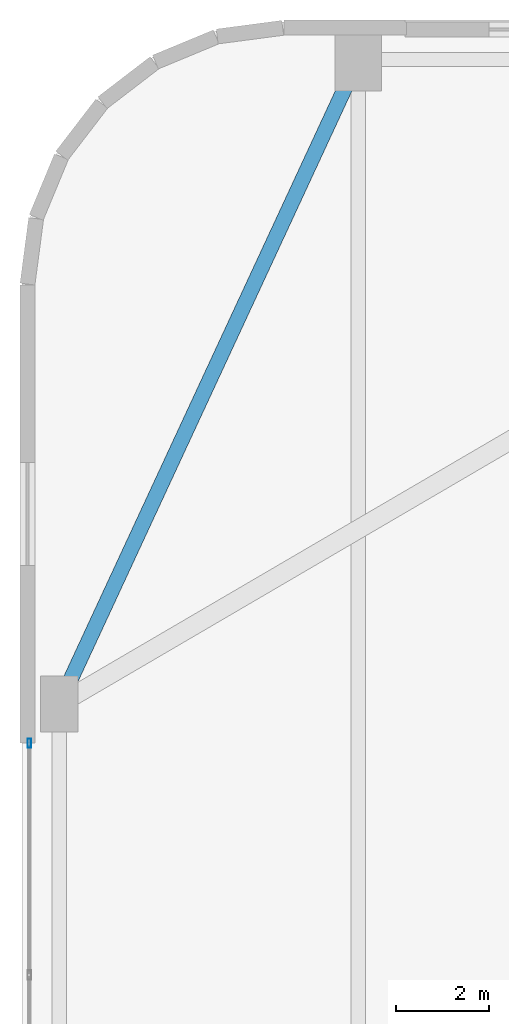
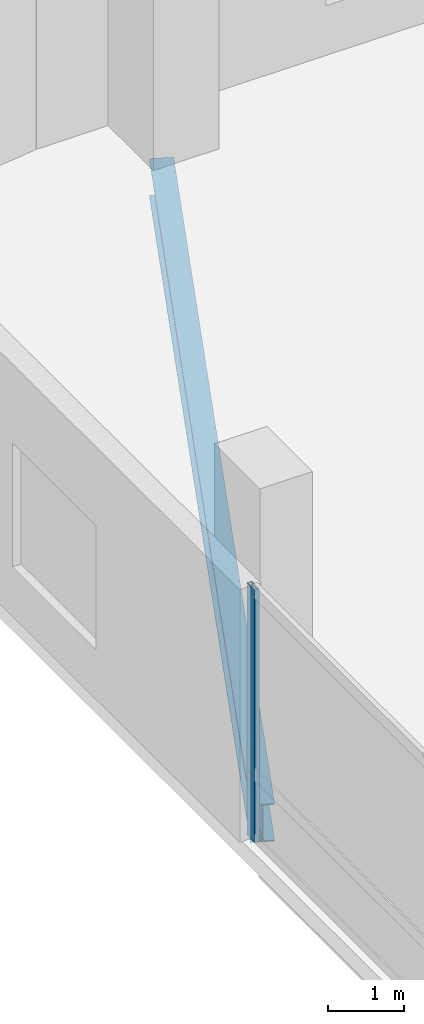
# One storey, part 17 of 36: 1 beam, 1 member, 1 element without a shape of its own.
"""IFC4 building model written with IfcOpenShell, lengths in metres."""

import ifcopenshell
import ifcopenshell.guid

model = None  # the IFC model being written
_history = None  # IfcOwnerHistory: only IFC2X3 demands one
_inside = {}  # id of a spatial element -> (the spatial element, [elements in it])
_under = {}  # id of a project, library or spatial element -> (it, [spatial elements below it])
_declared = {}  # id of a project -> (the project, [libraries it declares])
_typed = {}  # id of a type object -> (the type object, [elements of that type])
_made_of = {}  # id of a material, layer set ... -> (it, [elements and type objects made of it])


def new_model(schema):
    """Start an empty IFC model of exactly this schema.

    Asked for "IFC4X3", IfcOpenShell would pick the latest addendum, in which some entities
    have other attributes; the version numbers below select the first issue.
    IFC2X3 requires an IfcOwnerHistory on every rooted entity: one is made here for all.
    """
    global model, _history
    if schema == "IFC4X3":
        model = ifcopenshell.file(schema_version=(4, 3, 0, 0))
    else:
        model = ifcopenshell.file(schema=schema)
    _inside.clear()
    _under.clear()
    _declared.clear()
    _typed.clear()
    _made_of.clear()
    _history = None
    if model.schema == "IFC2X3":
        org = make("IfcOrganization", Name="unknown")
        user = make(
            "IfcPersonAndOrganization",
            ThePerson=make("IfcPerson", FamilyName="unknown"),
            TheOrganization=org,
        )
        app = make(
            "IfcApplication",
            ApplicationDeveloper=org,
            Version="unknown",
            ApplicationFullName="unknown",
            ApplicationIdentifier="unknown",
        )
        _history = make(
            "IfcOwnerHistory",
            OwningUser=user,
            OwningApplication=app,
            ChangeAction="ADDED",
            CreationDate=0,
        )
    return model


def make(cls, **values):
    """One entity of the class cls with the attributes given. An attribute that is None is left unset."""
    return model.create_entity(
        cls, **{name: value for name, value in values.items() if value is not None}
    )


def rooted(cls, **values):
    """An entity with a GlobalId (a new one), such as an element, a storey or a relation."""
    return make(cls, GlobalId=ifcopenshell.guid.new(), OwnerHistory=_history, **values)


def si_unit(unit_type, name, prefix=None):
    """IfcSIUnit, for example si_unit("LENGTHUNIT", "METRE", prefix="MILLI")."""
    return make("IfcSIUnit", UnitType=unit_type, Prefix=prefix, Name=name)


def assignment(units):
    """IfcUnitAssignment: the units of a project."""
    return None if units is None else make("IfcUnitAssignment", Units=units)


def point(xyz):
    """IfcCartesianPoint."""
    return None if xyz is None else make("IfcCartesianPoint", Coordinates=xyz)


def direction(xyz):
    """IfcDirection."""
    return None if xyz is None else make("IfcDirection", DirectionRatios=xyz)


def frame(location, z_axis=None, x_axis=None):
    """IfcAxis2Placement3D, a coordinate frame: its origin and axes. An axis left out is left unset."""
    return make(
        "IfcAxis2Placement3D",
        Location=point(location),
        Axis=direction(z_axis),
        RefDirection=direction(x_axis),
    )


def frame_2d(location, x_axis=None):
    """IfcAxis2Placement2D, a coordinate frame in the plane: its origin and x axis."""
    return make(
        "IfcAxis2Placement2D", Location=point(location), RefDirection=direction(x_axis)
    )


def origin():
    """The frame at (0, 0, 0) with its axes left unset."""
    return frame((0.0, 0.0, 0.0))


def origin_2d():
    """The frame at (0, 0) in the plane with its x axis left unset."""
    return frame_2d((0.0, 0.0))


def place(relative_to, where):
    """IfcLocalPlacement: puts the frame where relative to a parent placement (None: the world)."""
    return make(
        "IfcLocalPlacement", PlacementRelTo=relative_to, RelativePlacement=where
    )


def context(
    kind, dimensions, precision=None, world=None, true_north=None, identifier=None
):
    """IfcGeometricRepresentationContext, for example the 3D "Model" context."""
    return make(
        "IfcGeometricRepresentationContext",
        ContextIdentifier=identifier,
        ContextType=kind,
        CoordinateSpaceDimension=dimensions,
        Precision=precision,
        WorldCoordinateSystem=world,
        TrueNorth=true_north,
    )


def subcontext(parent, identifier, kind, view, scale=None):
    """IfcGeometricRepresentationSubContext, for example "Body" below "Model"."""
    return make(
        "IfcGeometricRepresentationSubContext",
        ContextIdentifier=identifier,
        ContextType=kind,
        ParentContext=parent,
        TargetScale=scale,
        TargetView=view,
    )


def project(units=None, contexts=None):
    """IfcProject with its units and contexts."""
    return rooted(
        "IfcProject",
        Name="project",
        RepresentationContexts=contexts,
        UnitsInContext=assignment(units),
    )


def spatial(cls, under=None, at=None, **own):
    """A site, building, storey or space (cls), placed at a placement, below another one or the project."""
    s = rooted(cls, ObjectPlacement=at, **own)
    if under is not None:
        _under.setdefault(under.id(), (under, []))[1].append(s)
    return s


def profile(cls, at=None, kind="AREA", **sizes):
    """A parametric profile (cls). Its sizes go by their IFC names, for example OverallWidth=200.0."""
    return make(cls, ProfileType=kind, Position=at, **sizes)


def hollow_rectangle(**sizes):
    """IfcRectangleHollowProfileDef."""
    return profile("IfcRectangleHollowProfileDef", **sizes)


def i_section(**sizes):
    """IfcIShapeProfileDef."""
    return profile("IfcIShapeProfileDef", **sizes)


def extrude(swept, where, along, depth):
    """IfcExtrudedAreaSolid: the profile swept, set in the frame where, extruded along a direction by depth."""
    return make(
        "IfcExtrudedAreaSolid",
        SweptArea=swept,
        Position=where,
        ExtrudedDirection=direction(along),
        Depth=depth,
    )


def shape(context_of_items, identifier, shape_type, items):
    """IfcShapeRepresentation: the items that make up one representation, for example the "Body"."""
    return make(
        "IfcShapeRepresentation",
        ContextOfItems=context_of_items,
        RepresentationIdentifier=identifier,
        RepresentationType=shape_type,
        Items=items,
    )


def material(Name=None, Category=None):
    """IfcMaterial."""
    return make("IfcMaterial", Name=Name, Category=Category)


def layer(
    of_material, thickness, ventilated=None, Name=None, Category=None, Priority=None
):
    """IfcMaterialLayer: one layer of a wall or slab, of a material (None: an air gap)."""
    return make(
        "IfcMaterialLayer",
        Material=of_material,
        LayerThickness=thickness,
        IsVentilated=ventilated,
        Name=Name,
        Category=Category,
        Priority=Priority,
    )


def layer_set(layers, Name=None):
    """IfcMaterialLayerSet."""
    return make("IfcMaterialLayerSet", MaterialLayers=layers, LayerSetName=Name)


def material_profile(
    of_material, cross_section, Name=None, Category=None, Priority=None
):
    """IfcMaterialProfile: a cross section and its material."""
    return make(
        "IfcMaterialProfile",
        Name=Name,
        Material=of_material,
        Profile=cross_section,
        Priority=Priority,
        Category=Category,
    )


def profile_set(profiles, Name=None, composite=None):
    """IfcMaterialProfileSet."""
    return make(
        "IfcMaterialProfileSet",
        Name=Name,
        MaterialProfiles=profiles,
        CompositeProfile=composite,
    )


def made_of(thing, what):
    """Note that an element or type object is made of a material, layer set ...; save() writes the relation."""
    if what is not None:
        _made_of.setdefault(what.id(), (what, []))[1].append(thing)
    return thing


def type_object(cls, material=None, **own):
    """A type object (cls), such as IfcWallType, which elements share."""
    return made_of(rooted(cls, **own), material)


def element(
    cls,
    number,
    at=None,
    inside=None,
    cuts=None,
    type_object=None,
    material=None,
    context=None,
    identifier="Body",
    shape_type=None,
    held_by="IfcProductDefinitionShape",
    body=None,
    shapes=None,
    **own,
):
    """One element of the class cls, such as IfcWall. Its Tag is "e" and its number.

    at: its placement. inside: the storey or other place that contains it. cuts: it is an
    opening in that element (IfcRelVoidsElement). A single representation is given by context,
    identifier, shape_type and body (its items); several are given by shapes. held_by: the class
    of the entity that holds the representations. save() writes the other relations.
    """
    e = rooted(cls, Tag="e%d" % number, ObjectPlacement=at, **own)
    if body is not None:
        shapes = [shape(context, identifier, shape_type, body)]
    if shapes is not None:
        e.Representation = make(held_by, Representations=shapes)
    if inside is not None:
        _inside.setdefault(inside.id(), (inside, []))[1].append(e)
    if cuts is not None:
        rooted(
            "IfcRelVoidsElement", RelatingBuildingElement=cuts, RelatedOpeningElement=e
        )
    if type_object is not None:
        _typed.setdefault(type_object.id(), (type_object, []))[1].append(e)
    return made_of(e, material)


def aggregate(whole, parts):
    """IfcRelAggregates: a whole, such as a stair, and the parts it consists of."""
    return rooted("IfcRelAggregates", RelatingObject=whole, RelatedObjects=parts)


def save(model, path):
    """Write the relations noted so far, then the file.

    IfcRelAggregates (storeys below a building ...), IfcRelContainedInSpatialStructure (elements
    in a storey), IfcRelDefinesByType, IfcRelAssociatesMaterial and IfcRelDeclares: one each for
    every whole, place, type object, material and project.
    """
    for whole, parts in _under.values():
        aggregate(whole, parts)
    for where, things in _inside.values():
        rooted(
            "IfcRelContainedInSpatialStructure",
            RelatedElements=things,
            RelatingStructure=where,
        )
    for kind, things in _typed.values():
        rooted("IfcRelDefinesByType", RelatedObjects=things, RelatingType=kind)
    for what, things in _made_of.values():
        rooted("IfcRelAssociatesMaterial", RelatedObjects=things, RelatingMaterial=what)
    for by, libraries in _declared.values():
        rooted("IfcRelDeclares", RelatingContext=by, RelatedDefinitions=libraries)
    model.write(path)


model = new_model("IFC4")

# Units and contexts
model_context = context("Model", 3, precision=1e-05, world=origin(), true_north=direction((0.0, 1.0)))
body_context = subcontext(model_context, "Body", "Model", "MODEL_VIEW")
ifc_project = project(units=[si_unit("LENGTHUNIT", "METRE"), si_unit("AREAUNIT", "SQUARE_METRE"), si_unit("VOLUMEUNIT", "CUBIC_METRE"), si_unit("PLANEANGLEUNIT", "RADIAN"), si_unit("MASSUNIT", "GRAM", prefix="KILO")], contexts=[model_context])

# Site, building, storey
site_placement = place(None, origin())
site = spatial("IfcSite", under=ifc_project, at=site_placement, CompositionType="ELEMENT")
building_placement = place(site_placement, origin())
building = spatial("IfcBuilding", under=site, at=building_placement, Name="Varnelok Gate Tower", CompositionType="ELEMENT")
storey_placement = place(building_placement, frame((0.0, 0.0, 10.800048828125)))
storey = spatial("IfcBuildingStorey", under=building, at=storey_placement, Name="L02", CompositionType="ELEMENT", Elevation=10.800048828125)

# Beam
ifc_material_1 = material(Name="Structural Steel ASTM A992 Grade 50", Category="steel")
ifc_material_profile_1 = material_profile(ifc_material_1, i_section(OverallWidth=0.323974609375, OverallDepth=0.611083984375, WebThickness=0.0126953125, FlangeThickness=0.01904296875, FilletRadius=0.01806640625, at=origin_2d()), Name="W24X104")
ifc_profile_set_1 = profile_set([ifc_material_profile_1], Name="Structural Steel ASTM A992 Grade 50")
beam_type = type_object("IfcBeamType", Name="BM-SPN-W24X104", PredefinedType="SPANDREL", material=ifc_profile_set_1)
beam_placement = place(storey_placement, frame((0.85888671875, 36.126953125, -0.58544921875), z_axis=(0.420722638096, 0.907189319709, 0.0), x_axis=(-0.907189319709, 0.420722638096, 0.0)))
element("IfcBeam", 1, at=beam_placement, inside=storey, type_object=beam_type, Name="L02 Podium Primary Girder 9", PredefinedType="SPANDREL", context=body_context, shape_type="SweptSolid", body=[
    extrude(i_section(OverallWidth=0.323974609375, OverallDepth=0.611083984375, WebThickness=0.0126953125, FlangeThickness=0.01904296875, FilletRadius=0.01806640625, at=origin_2d()), origin(), (0.0, 0.0, 1.0), 14.931884765625),
])

# Curtain wall, member
ifc_material_2 = material(Name="Anodized Aluminum Alloy 6063-T6", Category="aluminium")
ifc_layer = layer(ifc_material_2, 0.179931640625)
ifc_layer_set = layer_set([ifc_layer], Name="Anodized Aluminum Alloy 6063-T6")
curtain_wall_type = type_object("IfcCurtainWallType", Name="CW1-ARCH-PORTAL", PredefinedType="USERDEFINED", material=ifc_layer_set)
curtain_wall_placement = place(storey_placement, origin())
curtain_wall = element("IfcCurtainWall", 2, at=curtain_wall_placement, inside=storey, type_object=curtain_wall_type, Name="L02 Podium Portal Curtain Wall W", ObjectType="UNITISED CURTAIN WALL", PredefinedType="USERDEFINED")
ifc_material_profile_2 = material_profile(ifc_material_2, hollow_rectangle(XDim=0.074951171875, YDim=0.199951171875, WallThickness=0.00390625, at=origin_2d()), Name="ALU200X75X4")
ifc_profile_set_2 = profile_set([ifc_material_profile_2], Name="Anodized Aluminum Alloy 6063-T6")
member_type = type_object("IfcMemberType", Name="CW-MULL-200", PredefinedType="MULLION", material=ifc_profile_set_2)
member_placement = place(storey_placement, frame((0.159912109375, 35.16259765625, 0.0), z_axis=(0.0, 0.0, 1.0), x_axis=(-1.0, 0.0, 0.0)))
member = element("IfcMember", 3, at=member_placement, type_object=member_type, Name="CW1 mullion 5", PredefinedType="MULLION", context=body_context, shape_type="SweptSolid", body=[
    extrude(hollow_rectangle(XDim=0.074951171875, YDim=0.199951171875, WallThickness=0.00390625, at=origin_2d()), origin(), (0.0, 0.0, 1.0), 4.070068359375),
])
aggregate(curtain_wall, [member])

save(model, "model.ifc")
